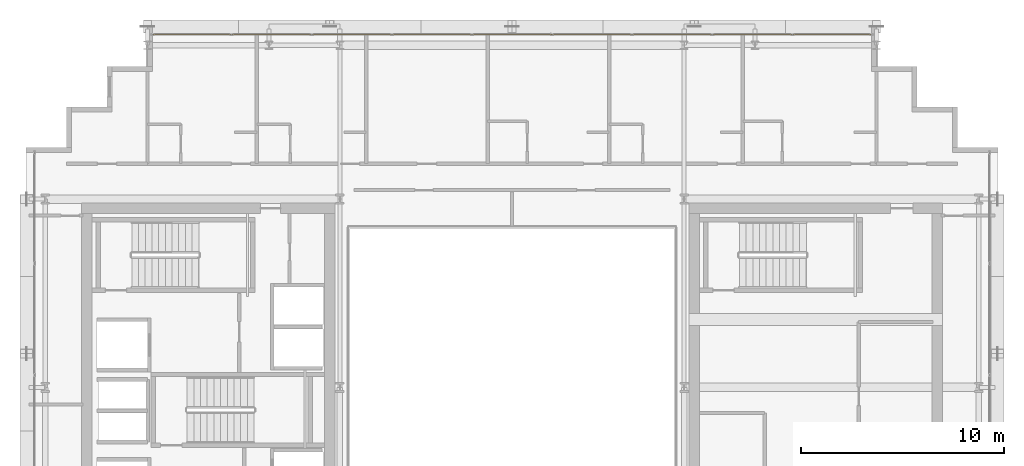
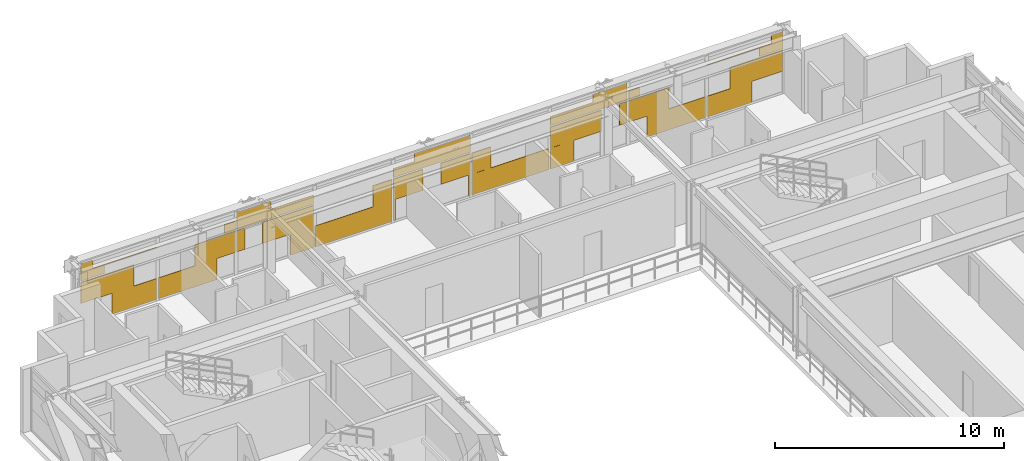
# One storey, part 32 of 32: 1 covering.
"""IFC4 building model written with IfcOpenShell, lengths in metres."""

from ifc_helpers import new_model, si_unit, direction, frame, origin, origin_2d, place, context, subcontext, project, spatial, rectangle, extrude, material, layer, layer_set, type_object, element, save


model = new_model("IFC4")

# Units and contexts
model_context = context("Model", 3, precision=1e-05, world=origin(), true_north=direction((0.0, 1.0)))
body_context = subcontext(model_context, "Body", "Model", "MODEL_VIEW")
ifc_project = project(units=[si_unit("LENGTHUNIT", "METRE"), si_unit("AREAUNIT", "SQUARE_METRE"), si_unit("VOLUMEUNIT", "CUBIC_METRE"), si_unit("PLANEANGLEUNIT", "RADIAN"), si_unit("MASSUNIT", "GRAM", prefix="KILO")], contexts=[model_context])

# Site, building, storey
site_placement = place(None, origin())
site = spatial("IfcSite", under=ifc_project, at=site_placement, CompositionType="ELEMENT")
building_placement = place(site_placement, origin())
building = spatial("IfcBuilding", under=site, at=building_placement, Name="Ocotamira Hotel", CompositionType="ELEMENT")
storey_placement = place(building_placement, frame((0.0, 0.0, 206.39990234375)))
storey = spatial("IfcBuildingStorey", under=building, at=storey_placement, Name="L52", CompositionType="ELEMENT", Elevation=206.39990234375)

# Covering
ifc_material = material(Name="Insulated pale-metal aluminium spandrel panel", Category="aluminium")
ifc_layer = layer(ifc_material, 0.044921875)
ifc_layer_set = layer_set([ifc_layer], Name="Insulated pale-metal aluminium spandrel panel")
covering_type = type_object("IfcCoveringType", Name="COV-INFILL-45", PredefinedType="CLADDING", material=ifc_layer_set)
covering_placement = place(storey_placement, origin())
element("IfcCovering", 1, at=covering_placement, inside=storey, type_object=covering_type, Name="L52 Curtain Wall Infill CW-4 CW-L52-N", PredefinedType="CLADDING", context=body_context, shape_type="SweptSolid", body=[
    extrude(rectangle(XDim=2.68701171875, YDim=0.044921875, at=origin_2d()), frame((15.6240234375, 45.580078125, 1.1943359375), z_axis=(0.0, 0.0, 1.0), x_axis=(1.0, 0.0, 0.0)), (0.0, 0.0, 1.0), 1.117919921875),
    extrude(rectangle(XDim=2.26708984375, YDim=0.044921875, at=origin_2d()), frame((16.9814453125, 45.580078125, 0.07568359375), z_axis=(0.0, 0.0, 1.0), x_axis=(1.0, 0.0, 0.0)), (0.0, 0.0, 1.0), 1.117919921875),
    extrude(rectangle(XDim=1.19482421875, YDim=0.044921875, at=origin_2d()), frame((14.8779296875, 45.580078125, 2.38818359375), z_axis=(0.0, 0.0, 1.0), x_axis=(1.0, 0.0, 0.0)), (0.0, 0.0, 1.0), 0.442626953125),
    extrude(rectangle(XDim=3.834716796875, YDim=0.044921875, at=origin_2d()), frame((16.19775390625, 45.580078125, 2.83154296875), z_axis=(0.0, 0.0, 1.0), x_axis=(1.0, 0.0, 0.0)), (0.0, 0.0, 1.0), 0.0302734375),
    extrude(rectangle(XDim=0.601318359375, YDim=0.044921875, at=origin_2d()), frame((14.581298828125, 45.580078125, 2.863037109375), z_axis=(0.0, 0.0, 1.0), x_axis=(1.0, 0.0, 0.0)), (0.0, 0.0, 1.0), 0.431640625),
    extrude(rectangle(XDim=2.955810546875, YDim=0.044921875, at=origin_2d()), frame((19.674072265625, 45.580078125, 0.07568359375), z_axis=(0.0, 0.0, 1.0), x_axis=(1.0, 0.0, 0.0)), (0.0, 0.0, 1.0), 1.117919921875),
    extrude(rectangle(XDim=2.0380859375, YDim=0.044921875, at=origin_2d()), frame((21.051513671875, 45.580078125, 1.1943359375), z_axis=(0.0, 0.0, 1.0), x_axis=(1.0, 0.0, 0.0)), (0.0, 0.0, 1.0), 1.117919921875),
    extrude(rectangle(XDim=0.5458984375, YDim=0.044921875, at=origin_2d()), frame((21.797607421875, 45.580078125, 2.38818359375), z_axis=(0.0, 0.0, 1.0), x_axis=(1.0, 0.0, 0.0)), (0.0, 0.0, 1.0), 0.473876953125),
    extrude(rectangle(XDim=0.398681640625, YDim=0.044921875, at=origin_2d()), frame((22.35107421875, 45.580078125, 1.1943359375), z_axis=(0.0, 0.0, 1.0), x_axis=(1.0, 0.0, 0.0)), (0.0, 0.0, 1.0), 1.117919921875),
    extrude(rectangle(XDim=2.57666015625, YDim=0.044921875, at=origin_2d()), frame((24.73779296875, 45.580078125, 1.1943359375), z_axis=(0.0, 0.0, 1.0), x_axis=(1.0, 0.0, 0.0)), (0.0, 0.0, 1.0), 1.117919921875),
    extrude(rectangle(XDim=1.177978515625, YDim=0.044921875, at=origin_2d()), frame((25.43701171875, 45.580078125, 0.07568359375), z_axis=(0.0, 0.0, 1.0), x_axis=(1.0, 0.0, 0.0)), (0.0, 0.0, 1.0), 1.117919921875),
    extrude(rectangle(XDim=3.87451171875, YDim=0.044921875, at=origin_2d()), frame((24.0888671875, 45.580078125, 2.38818359375), z_axis=(0.0, 0.0, 1.0), x_axis=(1.0, 0.0, 0.0)), (0.0, 0.0, 1.0), 0.473876953125),
    extrude(rectangle(XDim=1.730224609375, YDim=0.044921875, at=origin_2d()), frame((23.0166015625, 45.580078125, 2.863037109375), z_axis=(0.0, 0.0, 1.0), x_axis=(1.0, 0.0, 0.0)), (0.0, 0.0, 1.0), 0.431640625),
    extrude(rectangle(XDim=3.87451171875, YDim=0.044921875, at=origin_2d()), frame((28.04443359375, 45.580078125, 0.07568359375), z_axis=(0.0, 0.0, 1.0), x_axis=(1.0, 0.0, 0.0)), (0.0, 0.0, 1.0), 1.117919921875),
    extrude(rectangle(XDim=0.94921875, YDim=0.044921875, at=origin_2d()), frame((29.507080078125, 45.580078125, 1.1943359375), z_axis=(0.0, 0.0, 1.0), x_axis=(1.0, 0.0, 0.0)), (0.0, 0.0, 1.0), 1.117919921875),
    extrude(rectangle(XDim=0.089111328125, YDim=0.044921875, at=origin_2d()), frame((30.107421875, 45.580078125, 0.07568359375), z_axis=(0.0, 0.0, 1.0), x_axis=(1.0, 0.0, 0.0)), (0.0, 0.0, 1.0), 1.117919921875),
    extrude(rectangle(XDim=1.48779296875, YDim=0.044921875, at=origin_2d()), frame((30.806640625, 45.580078125, 1.1943359375), z_axis=(0.0, 0.0, 1.0), x_axis=(1.0, 0.0, 0.0)), (0.0, 0.0, 1.0), 1.117919921875),
    extrude(rectangle(XDim=1.48779296875, YDim=0.044921875, at=origin_2d()), frame((33.193359375, 45.580078125, 1.1943359375), z_axis=(0.0, 0.0, 1.0), x_axis=(1.0, 0.0, 0.0)), (0.0, 0.0, 1.0), 1.117919921875),
    extrude(rectangle(XDim=0.089111328125, YDim=0.044921875, at=origin_2d()), frame((33.892578125, 45.580078125, 0.07568359375), z_axis=(0.0, 0.0, 1.0), x_axis=(1.0, 0.0, 0.0)), (0.0, 0.0, 1.0), 1.117919921875),
    extrude(rectangle(XDim=3.87451171875, YDim=0.044921875, at=origin_2d()), frame((32.0, 45.580078125, 2.38818359375), z_axis=(0.0, 0.0, 1.0), x_axis=(1.0, 0.0, 0.0)), (0.0, 0.0, 1.0), 0.473876953125),
    extrude(rectangle(XDim=2.819091796875, YDim=0.044921875, at=origin_2d()), frame((32.527587890625, 45.580078125, 2.863037109375), z_axis=(0.0, 0.0, 1.0), x_axis=(1.0, 0.0, 0.0)), (0.0, 0.0, 1.0), 0.431640625),
    extrude(rectangle(XDim=3.87451171875, YDim=0.044921875, at=origin_2d()), frame((35.95556640625, 45.580078125, 0.07568359375), z_axis=(0.0, 0.0, 1.0), x_axis=(1.0, 0.0, 0.0)), (0.0, 0.0, 1.0), 1.117919921875),
    extrude(rectangle(XDim=0.94921875, YDim=0.044921875, at=origin_2d()), frame((34.492919921875, 45.580078125, 1.1943359375), z_axis=(0.0, 0.0, 1.0), x_axis=(1.0, 0.0, 0.0)), (0.0, 0.0, 1.0), 1.117919921875),
    extrude(rectangle(XDim=1.177978515625, YDim=0.044921875, at=origin_2d()), frame((38.56298828125, 45.580078125, 0.07568359375), z_axis=(0.0, 0.0, 1.0), x_axis=(1.0, 0.0, 0.0)), (0.0, 0.0, 1.0), 1.117919921875),
    extrude(rectangle(XDim=2.57666015625, YDim=0.044921875, at=origin_2d()), frame((39.26220703125, 45.580078125, 1.1943359375), z_axis=(0.0, 0.0, 1.0), x_axis=(1.0, 0.0, 0.0)), (0.0, 0.0, 1.0), 1.117919921875),
    extrude(rectangle(XDim=0.398681640625, YDim=0.044921875, at=origin_2d()), frame((41.64892578125, 45.580078125, 1.1943359375), z_axis=(0.0, 0.0, 1.0), x_axis=(1.0, 0.0, 0.0)), (0.0, 0.0, 1.0), 1.117919921875),
    extrude(rectangle(XDim=3.87451171875, YDim=0.044921875, at=origin_2d()), frame((39.9111328125, 45.580078125, 2.38818359375), z_axis=(0.0, 0.0, 1.0), x_axis=(1.0, 0.0, 0.0)), (0.0, 0.0, 1.0), 0.473876953125),
    extrude(rectangle(XDim=1.730224609375, YDim=0.044921875, at=origin_2d()), frame((40.9833984375, 45.580078125, 2.863037109375), z_axis=(0.0, 0.0, 1.0), x_axis=(1.0, 0.0, 0.0)), (0.0, 0.0, 1.0), 0.431640625),
    extrude(rectangle(XDim=2.0380859375, YDim=0.044921875, at=origin_2d()), frame((42.948486328125, 45.580078125, 1.1943359375), z_axis=(0.0, 0.0, 1.0), x_axis=(1.0, 0.0, 0.0)), (0.0, 0.0, 1.0), 1.117919921875),
    extrude(rectangle(XDim=2.955810546875, YDim=0.044921875, at=origin_2d()), frame((44.325927734375, 45.580078125, 0.07568359375), z_axis=(0.0, 0.0, 1.0), x_axis=(1.0, 0.0, 0.0)), (0.0, 0.0, 1.0), 1.117919921875),
    extrude(rectangle(XDim=0.5458984375, YDim=0.044921875, at=origin_2d()), frame((42.202392578125, 45.580078125, 2.38818359375), z_axis=(0.0, 0.0, 1.0), x_axis=(1.0, 0.0, 0.0)), (0.0, 0.0, 1.0), 0.473876953125),
    extrude(rectangle(XDim=2.26708984375, YDim=0.044921875, at=origin_2d()), frame((47.0185546875, 45.580078125, 0.07568359375), z_axis=(0.0, 0.0, 1.0), x_axis=(1.0, 0.0, 0.0)), (0.0, 0.0, 1.0), 1.117919921875),
    extrude(rectangle(XDim=2.68701171875, YDim=0.044921875, at=origin_2d()), frame((48.3759765625, 45.580078125, 1.1943359375), z_axis=(0.0, 0.0, 1.0), x_axis=(1.0, 0.0, 0.0)), (0.0, 0.0, 1.0), 1.117919921875),
    extrude(rectangle(XDim=3.834716796875, YDim=0.044921875, at=origin_2d()), frame((47.80224609375, 45.580078125, 2.83154296875), z_axis=(0.0, 0.0, 1.0), x_axis=(1.0, 0.0, 0.0)), (0.0, 0.0, 1.0), 0.0302734375),
    extrude(rectangle(XDim=1.19482421875, YDim=0.044921875, at=origin_2d()), frame((49.1220703125, 45.580078125, 2.38818359375), z_axis=(0.0, 0.0, 1.0), x_axis=(1.0, 0.0, 0.0)), (0.0, 0.0, 1.0), 0.442626953125),
    extrude(rectangle(XDim=0.601318359375, YDim=0.044921875, at=origin_2d()), frame((49.418701171875, 45.580078125, 2.863037109375), z_axis=(0.0, 0.0, 1.0), x_axis=(1.0, 0.0, 0.0)), (0.0, 0.0, 1.0), 0.431640625),
])

save(model, "model.ifc")
